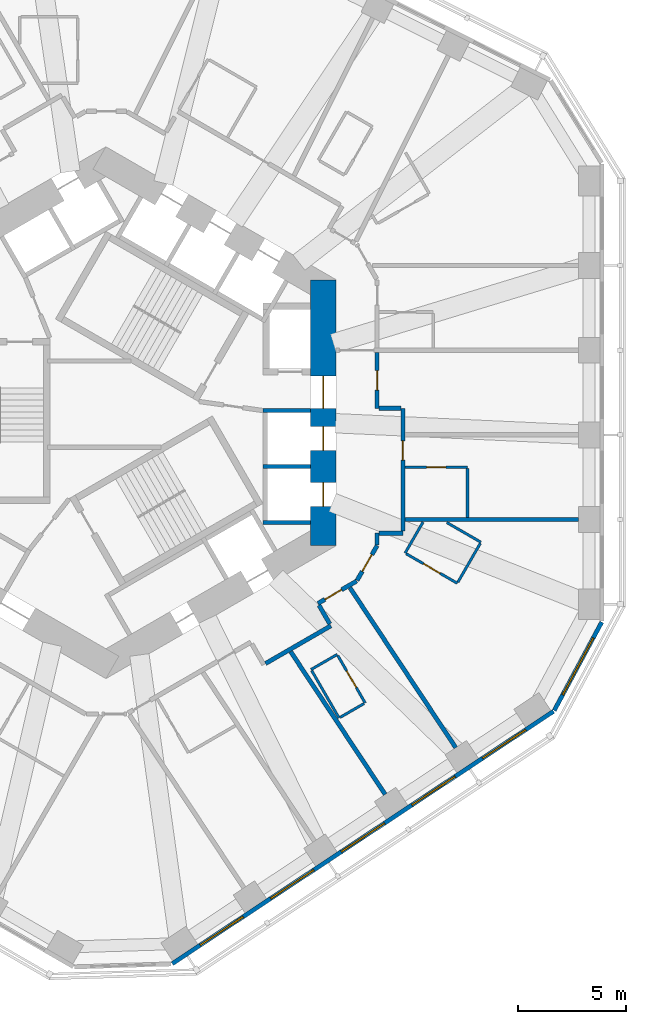
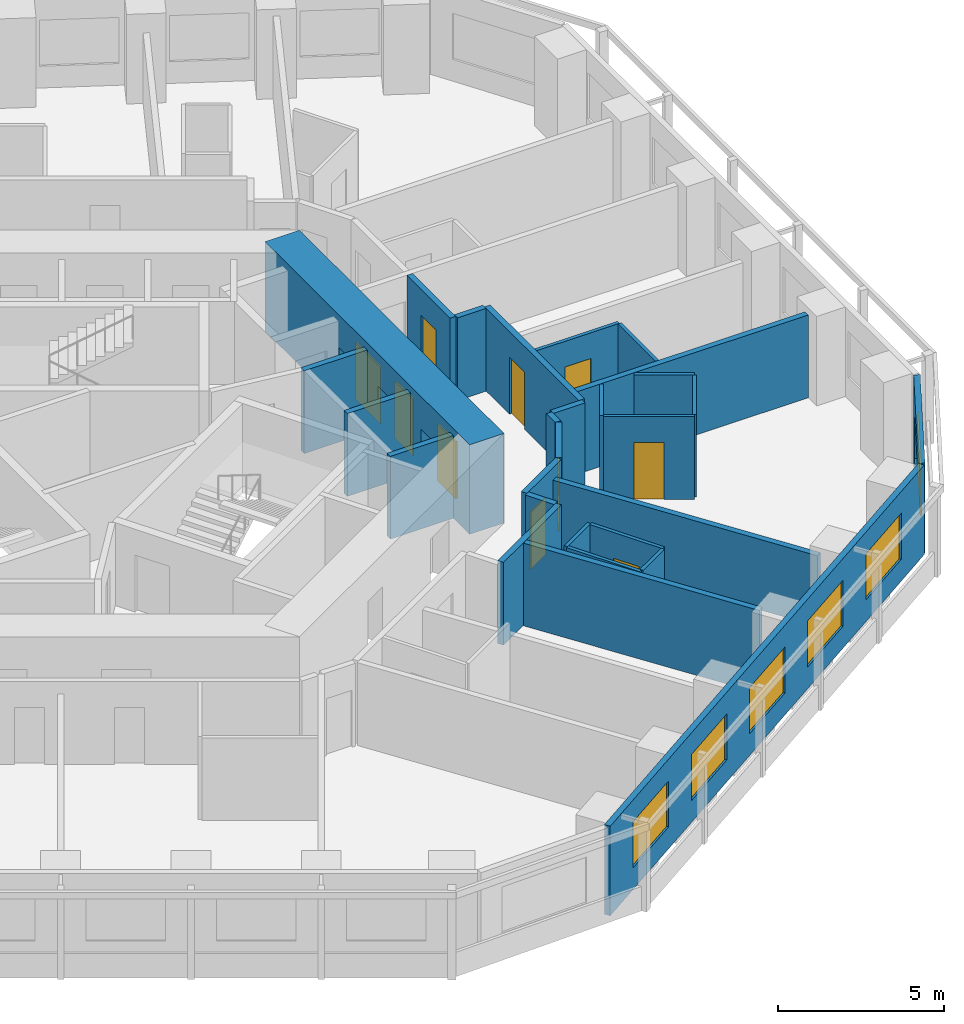
# One storey, part 6 of 12: 28 walls, 10 doors, 6 windows, 16 openings.
"""IFC4 building model written with IfcOpenShell, lengths in metres."""

from ifc_helpers import new_model, si_unit, direction, frame, frame_2d, origin, place, context, subcontext, project, spatial, rectangle, extrude, material, layer, layer_set, type_object, element, fill, save


model = new_model("IFC4")

# Units and contexts
model_context = context("Model", 3, precision=1e-05, world=origin(), true_north=direction((0.0, 1.0)))
body_context = subcontext(model_context, "Body", "Model", "MODEL_VIEW")
ifc_project = project(units=[si_unit("LENGTHUNIT", "METRE"), si_unit("AREAUNIT", "SQUARE_METRE"), si_unit("VOLUMEUNIT", "CUBIC_METRE"), si_unit("PLANEANGLEUNIT", "RADIAN"), si_unit("MASSUNIT", "GRAM", prefix="KILO")], contexts=[model_context])

# Site, building, storey
site_placement = place(None, origin())
site = spatial("IfcSite", under=ifc_project, at=site_placement, CompositionType="ELEMENT")
building_placement = place(site_placement, origin())
building = spatial("IfcBuilding", under=site, at=building_placement, Name="Vanh Sen Convention Tower", CompositionType="ELEMENT")
storey_placement = place(building_placement, frame((0.0, 0.0, 83.60009765625)))
storey = spatial("IfcBuildingStorey", under=building, at=storey_placement, Name="L18", CompositionType="ELEMENT", Elevation=83.60009765625)

# Wall
ifc_material_1 = material(Name="Moisture-resistant gypsum board on steel studs", Category="steel")
ifc_layer_1 = layer(ifc_material_1, 0.1201171875)
ifc_layer_set_1 = layer_set([ifc_layer_1], Name="Moisture-resistant gypsum board on steel studs")
wall_type_1 = type_object("IfcWallType", Name="Bathroom partition 120", PredefinedType="PARTITIONING", material=ifc_layer_set_1)
wall_1_placement = place(storey_placement, frame((9.532470703125, -11.93359375, 0.0), z_axis=(0.0, 0.0, 1.0), x_axis=(0.866034573852, 0.49998411664, 0.0)))
element("IfcWall", 1, at=wall_1_placement, inside=storey, type_object=wall_type_1, Name="Bathroom partition 120", PredefinedType="PARTITIONING", context=body_context, shape_type="SweptSolid", body=[
    extrude(rectangle(XDim=1.39990234375, YDim=0.1201171875, at=frame_2d((0.699951171875, 0.0))), origin(), (0.0, 0.0, 1.0), 3.0498046875),
])

# Wall, opening, door
wall_2_placement = place(storey_placement, frame((10.77490234375, -11.28564453125, 0.0), z_axis=(0.0, 0.0, 1.0), x_axis=(0.500046963369, -0.865998287773, 0.0)))
wall_2 = element("IfcWall", 2, at=wall_2_placement, inside=storey, type_object=wall_type_1, Name="Bathroom partition 120", PredefinedType="PARTITIONING", context=body_context, shape_type="SweptSolid", body=[
    extrude(rectangle(XDim=2.539794921875, YDim=0.1201171875, at=frame_2d((1.27001953125, 0.0))), origin(), (0.0, 0.0, 1.0), 3.0498046875),
])
opening_1_placement = place(wall_2_placement, frame((0.820068359375, 0.0, 0.0)))
opening_1 = element("IfcOpeningElement", 3, at=opening_1_placement, cuts=wall_2, Name="Opening D16134", PredefinedType="OPENING", context=body_context, shape_type="SweptSolid", body=[
    extrude(rectangle(XDim=0.89990234375, YDim=2.10009765625, at=frame_2d((0.449951171875, 1.050048828125))), frame((0.0, 0.070068359375, 0.0), z_axis=(0.0, -1.0, 0.0), x_axis=(1.0, 0.0, 0.0)), (0.0, 0.0, 1.0), 0.14013671875),
])
ifc_material_2 = material(Name="Laminate door in steel frame", Category="steel")
door_type_1 = type_object("IfcDoorType", Name="En-suite door 900", OperationType="SINGLE_SWING_LEFT", PredefinedType="DOOR", material=ifc_material_2)
door_1_placement = place(opening_1_placement, origin())
door_1 = element("IfcDoor", 4, at=door_1_placement, inside=storey, type_object=door_type_1, Name="En-suite door D16134", OperationType="SINGLE_SWING_LEFT", OverallHeight=2.10009765625, OverallWidth=0.89990234375, PredefinedType="DOOR", context=body_context, shape_type="SweptSolid", body=[
    extrude(rectangle(XDim=0.89990234375, YDim=2.10009765625, at=frame_2d((0.449951171875, 1.050048828125))), frame((0.0, 0.02490234375, 0.0), z_axis=(0.0, -1.0, 0.0), x_axis=(1.0, 0.0, 0.0)), (0.0, 0.0, 1.0), 0.050048828125),
])
fill(opening_1, door_1)

# Walls
wall_3_placement = place(storey_placement, frame((10.83251953125, -14.185302734375, 0.0), z_axis=(0.0, 0.0, 1.0), x_axis=(-0.500005339912, 0.866022320763, 0.0)))
element("IfcWall", 5, at=wall_3_placement, inside=storey, type_object=wall_type_1, Name="Bathroom partition 120", PredefinedType="PARTITIONING", context=body_context, shape_type="SweptSolid", body=[
    extrude(rectangle(XDim=2.5400390625, YDim=0.1201171875, at=frame_2d((1.27001953125, 0.0))), origin(), (0.0, 0.0, 1.0), 3.0498046875),
])
wall_4_placement = place(storey_placement, frame((11.992919921875, -13.51513671875, 0.0), z_axis=(0.0, 0.0, 1.0), x_axis=(-0.865956862152, -0.500118698802, 0.0)))
element("IfcWall", 6, at=wall_4_placement, inside=storey, type_object=wall_type_1, Name="Bathroom partition 120", PredefinedType="PARTITIONING", context=body_context, shape_type="SweptSolid", body=[
    extrude(rectangle(XDim=1.280029296875, YDim=0.1201171875, at=frame_2d((0.64013671875, 0.0))), origin(), (0.0, 0.0, 1.0), 3.0498046875),
])
wall_5_placement = place(storey_placement, frame((13.90087890625, -6.5244140625, 0.0), z_axis=(0.0, 0.0, 1.0), x_axis=(0.499964162598, 0.86604609353, 0.0)))
element("IfcWall", 7, at=wall_5_placement, inside=storey, type_object=wall_type_1, Name="Bathroom partition 120", PredefinedType="PARTITIONING", context=body_context, shape_type="SweptSolid", body=[
    extrude(rectangle(XDim=1.6611328125, YDim=0.1201171875, at=frame_2d((0.83056640625, 0.0))), origin(), (0.0, 0.0, 1.0), 3.0498046875),
])

# Wall, opening, door
wall_6_placement = place(storey_placement, frame((13.90087890625, -2.530029296875, 0.0), z_axis=(0.0, 0.0, 1.0), x_axis=(1.0, 0.0, 0.0)))
wall_6 = element("IfcWall", 8, at=wall_6_placement, inside=storey, type_object=wall_type_1, Name="Bathroom partition 120", PredefinedType="PARTITIONING", context=body_context, shape_type="SweptSolid", body=[
    extrude(rectangle(XDim=2.900146484375, YDim=0.1201171875, at=frame_2d((1.4501953125, 0.0))), origin(), (0.0, 0.0, 1.0), 3.0498046875),
])
opening_2_placement = place(wall_6_placement, frame((1.0, 0.0, 0.0)))
opening_2 = element("IfcOpeningElement", 9, at=opening_2_placement, cuts=wall_6, Name="Opening D16102", PredefinedType="OPENING", context=body_context, shape_type="SweptSolid", body=[
    extrude(rectangle(XDim=0.89990234375, YDim=2.10009765625, at=frame_2d((0.449951171875, 1.050048828125))), frame((0.0, 0.070068359375, 0.0), z_axis=(0.0, -1.0, 0.0), x_axis=(1.0, 0.0, 0.0)), (0.0, 0.0, 1.0), 0.14013671875),
])
door_2_placement = place(opening_2_placement, origin())
door_2 = element("IfcDoor", 10, at=door_2_placement, inside=storey, type_object=door_type_1, Name="En-suite door D16102", OperationType="SINGLE_SWING_LEFT", OverallHeight=2.10009765625, OverallWidth=0.89990234375, PredefinedType="DOOR", context=body_context, shape_type="SweptSolid", body=[
    extrude(rectangle(XDim=0.89990234375, YDim=2.10009765625, at=frame_2d((0.449951171875, 1.050048828125))), frame((0.0, 0.02490234375, 0.0), z_axis=(0.0, -1.0, 0.0), x_axis=(1.0, 0.0, 0.0)), (0.0, 0.0, 1.0), 0.050048828125),
])
fill(opening_2, door_2)

# Wall
wall_7_placement = place(storey_placement, frame((15.84130859375, -5.1044921875, 0.0), z_axis=(0.0, 0.0, 1.0), x_axis=(0.866025591402, -0.499999675036, 0.0)))
element("IfcWall", 11, at=wall_7_placement, inside=storey, type_object=wall_type_1, Name="Bathroom partition 120", PredefinedType="PARTITIONING", context=body_context, shape_type="SweptSolid", body=[
    extrude(rectangle(XDim=1.82958984375, YDim=0.1201171875, at=frame_2d((0.914794921875, 0.0))), origin(), (0.0, 0.0, 1.0), 3.0498046875),
])

# Wall, opening, door
wall_8_placement = place(storey_placement, frame((16.32568359375, -7.924560546875, 0.0), z_axis=(0.0, 0.0, 1.0), x_axis=(-0.865997131366, 0.500048966069, 0.0)))
wall_8 = element("IfcWall", 12, at=wall_8_placement, inside=storey, type_object=wall_type_1, Name="Bathroom partition 120", PredefinedType="PARTITIONING", context=body_context, shape_type="SweptSolid", body=[
    extrude(rectangle(XDim=2.739990234375, YDim=0.1201171875, at=frame_2d((1.3701171875, 0.0))), origin(), (0.0, 0.0, 1.0), 3.0498046875),
])
opening_3_placement = place(wall_8_placement, frame((0.919921875, 0.0, 0.0)))
opening_3 = element("IfcOpeningElement", 13, at=opening_3_placement, cuts=wall_8, Name="Opening D16136", PredefinedType="OPENING", context=body_context, shape_type="SweptSolid", body=[
    extrude(rectangle(XDim=0.89990234375, YDim=2.10009765625, at=frame_2d((0.449951171875, 1.050048828125))), frame((0.0, 0.070068359375, 0.0), z_axis=(0.0, -1.0, 0.0), x_axis=(1.0, 0.0, 0.0)), (0.0, 0.0, 1.0), 0.14013671875),
])
door_3_placement = place(opening_3_placement, origin())
door_3 = element("IfcDoor", 14, at=door_3_placement, inside=storey, type_object=door_type_1, Name="En-suite door D16136", OperationType="SINGLE_SWING_LEFT", OverallHeight=2.10009765625, OverallWidth=0.89990234375, PredefinedType="DOOR", context=body_context, shape_type="SweptSolid", body=[
    extrude(rectangle(XDim=0.89990234375, YDim=2.10009765625, at=frame_2d((0.449951171875, 1.050048828125))), frame((0.0, 0.02490234375, 0.0), z_axis=(0.0, -1.0, 0.0), x_axis=(1.0, 0.0, 0.0)), (0.0, 0.0, 1.0), 0.050048828125),
])
fill(opening_3, door_3)

# Walls
wall_9_placement = place(storey_placement, frame((16.801025390625, -2.590087890625, 0.0), z_axis=(0.0, 0.0, 1.0), x_axis=(0.0, -1.0, 0.0)))
element("IfcWall", 15, at=wall_9_placement, inside=storey, type_object=wall_type_1, Name="Bathroom partition 120", PredefinedType="PARTITIONING", context=body_context, shape_type="SweptSolid", body=[
    extrude(rectangle(XDim=2.2744140625, YDim=0.1201171875, at=frame_2d((1.13720703125, 0.0))), origin(), (0.0, 0.0, 1.0), 3.0498046875),
])
wall_10_placement = place(storey_placement, frame((17.395751953125, -6.0712890625, 0.0), z_axis=(0.0, 0.0, 1.0), x_axis=(-0.500027264788, -0.866009661879, 0.0)))
element("IfcWall", 16, at=wall_10_placement, inside=storey, type_object=wall_type_1, Name="Bathroom partition 120", PredefinedType="PARTITIONING", context=body_context, shape_type="SweptSolid", body=[
    extrude(rectangle(XDim=2.080078125, YDim=0.1201171875, at=frame_2d((1.0400390625, 0.0))), origin(), (0.0, 0.0, 1.0), 3.0498046875),
])

# Wall, openings, doors
ifc_material_3 = material(Name="Concrete C80/95", Category="concrete")
ifc_layer_2 = layer(ifc_material_3, 1.199951171875)
ifc_layer_set_2 = layer_set([ifc_layer_2], Name="Concrete C80/95")
wall_type_2 = type_object("IfcWallType", Name="Core outer wall 1200 C80/95", PredefinedType="SHEAR", material=ifc_layer_set_2)
wall_11_placement = place(storey_placement, frame((10.10009765625, -6.177490234375, 0.0), z_axis=(0.0, 0.0, 1.0), x_axis=(0.0, 1.0, 0.0)))
wall_11 = element("IfcWall", 17, at=wall_11_placement, inside=storey, type_object=wall_type_2, Name="Core wall face E L18", PredefinedType="SHEAR", context=body_context, shape_type="SweptSolid", body=[
    extrude(rectangle(XDim=12.35498046875, YDim=1.199951171875, at=frame_2d((6.177490234375, 0.0))), origin(), (0.0, 0.0, 1.0), 3.2998046875),
])
opening_4_placement = place(wall_11_placement, frame((6.377685546875, 0.0, 0.0)))
opening_4 = element("IfcOpeningElement", 18, at=opening_4_placement, cuts=wall_11, Name="Opening D16001", PredefinedType="OPENING", context=body_context, shape_type="SweptSolid", body=[
    extrude(rectangle(XDim=1.5, YDim=2.10009765625, at=frame_2d((0.75, 1.050048828125))), frame((0.0, 0.60986328125, 0.0), z_axis=(0.0, -1.0, 0.0), x_axis=(1.0, 0.0, 0.0)), (0.0, 0.0, 1.0), 1.219970703125),
])
opening_5_placement = place(wall_11_placement, frame((1.82763671875, 0.0, 0.0)))
opening_5 = element("IfcOpeningElement", 19, at=opening_5_placement, cuts=wall_11, Name="Opening LD-LR1", PredefinedType="OPENING", context=body_context, shape_type="SweptSolid", body=[
    extrude(rectangle(XDim=1.10009765625, YDim=2.10009765625, at=frame_2d((0.550048828125, 1.050048828125))), frame((0.0, 0.60986328125, 0.0), z_axis=(0.0, -1.0, 0.0), x_axis=(1.0, 0.0, 0.0)), (0.0, 0.0, 1.0), 1.219970703125),
])
opening_6_placement = place(wall_11_placement, frame((4.427490234375, 0.0, 0.0)))
opening_6 = element("IfcOpeningElement", 20, at=opening_6_placement, cuts=wall_11, Name="Opening LD-LR2", PredefinedType="OPENING", context=body_context, shape_type="SweptSolid", body=[
    extrude(rectangle(XDim=1.10009765625, YDim=2.10009765625, at=frame_2d((0.550048828125, 1.050048828125))), frame((0.0, 0.60986328125, 0.0), z_axis=(0.0, -1.0, 0.0), x_axis=(1.0, 0.0, 0.0)), (0.0, 0.0, 1.0), 1.219970703125),
])
ifc_material_4 = material(Name="Stainless steel", Category="steel")
door_type_2 = type_object("IfcDoorType", Name="Lift landing door 1100", OperationType="DOUBLE_DOOR_SLIDING", PredefinedType="DOOR", material=ifc_material_4)
door_4_placement = place(opening_5_placement, origin())
door_4 = element("IfcDoor", 21, at=door_4_placement, inside=storey, type_object=door_type_2, Name="Lift LR1 landing door LD-LR1", OperationType="DOUBLE_DOOR_SLIDING", OverallHeight=2.10009765625, OverallWidth=1.10009765625, PredefinedType="DOOR", context=body_context, shape_type="SweptSolid", body=[
    extrude(rectangle(XDim=1.10009765625, YDim=2.10009765625, at=frame_2d((0.550048828125, 1.050048828125))), frame((0.0, 0.02490234375, 0.0), z_axis=(0.0, -1.0, 0.0), x_axis=(1.0, 0.0, 0.0)), (0.0, 0.0, 1.0), 0.050048828125),
])
fill(opening_5, door_4)
door_5_placement = place(opening_6_placement, origin())
door_5 = element("IfcDoor", 22, at=door_5_placement, inside=storey, type_object=door_type_2, Name="Lift LR2 landing door LD-LR2", OperationType="DOUBLE_DOOR_SLIDING", OverallHeight=2.10009765625, OverallWidth=1.10009765625, PredefinedType="DOOR", context=body_context, shape_type="SweptSolid", body=[
    extrude(rectangle(XDim=1.10009765625, YDim=2.10009765625, at=frame_2d((0.550048828125, 1.050048828125))), frame((0.0, 0.02490234375, 0.0), z_axis=(0.0, -1.0, 0.0), x_axis=(1.0, 0.0, 0.0)), (0.0, 0.0, 1.0), 0.050048828125),
])
fill(opening_6, door_5)
ifc_material_5 = material(Name="Steel S355", Category="steel")
door_type_3 = type_object("IfcDoorType", Name="Stair lobby door 1500", OperationType="DOUBLE_DOOR_SINGLE_SWING", PredefinedType="DOOR", material=ifc_material_5)
door_6_placement = place(opening_4_placement, origin())
door_6 = element("IfcDoor", 23, at=door_6_placement, inside=storey, type_object=door_type_3, Name="Stair lobby door D16001", OperationType="DOUBLE_DOOR_SINGLE_SWING", OverallHeight=2.10009765625, OverallWidth=1.5, PredefinedType="DOOR", context=body_context, shape_type="SweptSolid", body=[
    extrude(rectangle(XDim=1.5, YDim=2.10009765625, at=frame_2d((0.75, 1.050048828125))), frame((0.0, 0.02490234375, 0.0), z_axis=(0.0, -1.0, 0.0), x_axis=(1.0, 0.0, 0.0)), (0.0, 0.0, 1.0), 0.050048828125),
])
fill(opening_4, door_6)

# Wall
ifc_material_6 = material(Name="Gypsum board on steel studs with mineral wool", Category="steel")
ifc_layer_3 = layer(ifc_material_6, 0.199951171875)
ifc_layer_set_3 = layer_set([ifc_layer_3], Name="Gypsum board on steel studs with mineral wool")
wall_type_3 = type_object("IfcWallType", Name="Corridor partition wall 200", PredefinedType="PARTITIONING", material=ifc_layer_set_3)
wall_12_placement = place(storey_placement, frame((7.419189453125, -11.652587890625, 0.0), z_axis=(0.0, 0.0, 1.0), x_axis=(0.866038154057, 0.49997791523, 0.0)))
element("IfcWall", 24, at=wall_12_placement, inside=storey, type_object=wall_type_3, Name="Corridor partition wall 200", PredefinedType="PARTITIONING", context=body_context, shape_type="SweptSolid", body=[
    extrude(rectangle(XDim=3.502197265625, YDim=0.199951171875, at=frame_2d((1.7509765625, 0.0))), origin(), (0.0, 0.0, 1.0), 3.0498046875),
])

# Wall, opening, door
wall_13_placement = place(storey_placement, frame((9.8515625, -8.861328125, 0.0), z_axis=(0.0, 0.0, 1.0), x_axis=(0.866013291437, 0.500020978615, 0.0)))
wall_13 = element("IfcWall", 25, at=wall_13_placement, inside=storey, type_object=wall_type_3, Name="Corridor partition wall 200", PredefinedType="PARTITIONING", context=body_context, shape_type="SweptSolid", body=[
    extrude(rectangle(XDim=2.07666015625, YDim=0.199951171875, at=frame_2d((1.038330078125, 0.0))), origin(), (0.0, 0.0, 1.0), 3.0498046875),
])
opening_7_placement = place(wall_13_placement, frame((0.37158203125, 0.0, 0.0)))
opening_7 = element("IfcOpeningElement", 26, at=opening_7_placement, cuts=wall_13, Name="Opening D16133", PredefinedType="OPENING", context=body_context, shape_type="SweptSolid", body=[
    extrude(rectangle(XDim=0.89990234375, YDim=2.10009765625, at=frame_2d((0.449951171875, 1.050048828125))), frame((0.0, 0.10986328125, 0.0), z_axis=(0.0, -1.0, 0.0), x_axis=(1.0, 0.0, 0.0)), (0.0, 0.0, 1.0), 0.219970703125),
])
ifc_material_7 = material(Name="Timber fire door in steel frame", Category="steel")
door_type_4 = type_object("IfcDoorType", Name="Guest room door 900", OperationType="SINGLE_SWING_LEFT", PredefinedType="DOOR", material=ifc_material_7)
door_7_placement = place(opening_7_placement, origin())
door_7 = element("IfcDoor", 27, at=door_7_placement, inside=storey, type_object=door_type_4, Name="Hotel guest room door D16133", OperationType="SINGLE_SWING_LEFT", OverallHeight=2.10009765625, OverallWidth=0.89990234375, PredefinedType="DOOR", context=body_context, shape_type="SweptSolid", body=[
    extrude(rectangle(XDim=0.89990234375, YDim=2.10009765625, at=frame_2d((0.449951171875, 1.050048828125))), frame((0.0, 0.02490234375, 0.0), z_axis=(0.0, -1.0, 0.0), x_axis=(1.0, 0.0, 0.0)), (0.0, 0.0, 1.0), 0.050048828125),
])
fill(opening_7, door_7)

# Wall
wall_14_placement = place(storey_placement, frame((10.402099609375, -9.81494140625, 0.0), z_axis=(0.0, 0.0, 1.0), x_axis=(-0.499968756647, 0.866043441391, 0.0)))
element("IfcWall", 28, at=wall_14_placement, inside=storey, type_object=wall_type_3, Name="Corridor partition wall 200", PredefinedType="PARTITIONING", context=body_context, shape_type="SweptSolid", body=[
    extrude(rectangle(XDim=1.0009765625, YDim=0.199951171875, at=frame_2d((0.50048828125, 0.0))), origin(), (0.0, 0.0, 1.0), 3.0498046875),
])

# Wall, opening, door
wall_15_placement = place(storey_placement, frame((11.669921875, -7.788330078125, 0.0), z_axis=(0.0, 0.0, 1.0), x_axis=(0.500063286585, 0.865988862174, 0.0)))
wall_15 = element("IfcWall", 29, at=wall_15_placement, inside=storey, type_object=wall_type_3, Name="Corridor partition wall 200", PredefinedType="PARTITIONING", context=body_context, shape_type="SweptSolid", body=[
    extrude(rectangle(XDim=1.860107421875, YDim=0.199951171875, at=frame_2d((0.93017578125, 0.0))), origin(), (0.0, 0.0, 1.0), 3.0498046875),
])
opening_8_placement = place(wall_15_placement, frame((0.47998046875, 0.0, 0.0)))
opening_8 = element("IfcOpeningElement", 30, at=opening_8_placement, cuts=wall_15, Name="Opening D16135", PredefinedType="OPENING", context=body_context, shape_type="SweptSolid", body=[
    extrude(rectangle(XDim=0.89990234375, YDim=2.10009765625, at=frame_2d((0.449951171875, 1.050048828125))), frame((0.0, 0.10986328125, 0.0), z_axis=(0.0, -1.0, 0.0), x_axis=(1.0, 0.0, 0.0)), (0.0, 0.0, 1.0), 0.219970703125),
])
door_8_placement = place(opening_8_placement, origin())
door_8 = element("IfcDoor", 31, at=door_8_placement, inside=storey, type_object=door_type_4, Name="Hotel guest room door D16135", OperationType="SINGLE_SWING_LEFT", OverallHeight=2.10009765625, OverallWidth=0.89990234375, PredefinedType="DOOR", context=body_context, shape_type="SweptSolid", body=[
    extrude(rectangle(XDim=0.89990234375, YDim=2.10009765625, at=frame_2d((0.449951171875, 1.050048828125))), frame((0.0, 0.02490234375, 0.0), z_axis=(0.0, -1.0, 0.0), x_axis=(1.0, 0.0, 0.0)), (0.0, 0.0, 1.0), 0.050048828125),
])
fill(opening_8, door_8)

# Wall
wall_16_placement = place(storey_placement, frame((12.60009765625, -6.1376953125, 0.0), z_axis=(0.0, 0.0, 1.0), x_axis=(0.0, 1.0, 0.0)))
element("IfcWall", 32, at=wall_16_placement, inside=storey, type_object=wall_type_3, Name="Corridor partition wall 200", PredefinedType="PARTITIONING", context=body_context, shape_type="SweptSolid", body=[
    extrude(rectangle(XDim=0.53662109375, YDim=0.199951171875, at=frame_2d((0.268310546875, 0.0))), origin(), (0.0, 0.0, 1.0), 3.0498046875),
])

# Wall, opening, door
wall_17_placement = place(storey_placement, frame((12.60009765625, 0.200927734375, 0.0), z_axis=(0.0, 0.0, 1.0), x_axis=(0.0, 1.0, 0.0)))
wall_17 = element("IfcWall", 33, at=wall_17_placement, inside=storey, type_object=wall_type_3, Name="Corridor partition wall 200", PredefinedType="PARTITIONING", context=body_context, shape_type="SweptSolid", body=[
    extrude(rectangle(XDim=2.603515625, YDim=0.199951171875, at=frame_2d((1.3017578125, 0.0))), origin(), (0.0, 0.0, 1.0), 3.0498046875),
])
opening_9_placement = place(wall_17_placement, frame((0.851806640625, 0.0, 0.0)))
opening_9 = element("IfcOpeningElement", 34, at=opening_9_placement, cuts=wall_17, Name="Opening D16103", PredefinedType="OPENING", context=body_context, shape_type="SweptSolid", body=[
    extrude(rectangle(XDim=0.89990234375, YDim=2.10009765625, at=frame_2d((0.449951171875, 1.050048828125))), frame((0.0, 0.10986328125, 0.0), z_axis=(0.0, -1.0, 0.0), x_axis=(1.0, 0.0, 0.0)), (0.0, 0.0, 1.0), 0.219970703125),
])
door_type_5 = type_object("IfcDoorType", Name="Floor service door 900", OperationType="SINGLE_SWING_LEFT", PredefinedType="DOOR", material=ifc_material_7)
door_9_placement = place(opening_9_placement, origin())
door_9 = element("IfcDoor", 35, at=door_9_placement, inside=storey, type_object=door_type_5, Name="Service room door D16103", OperationType="SINGLE_SWING_LEFT", OverallHeight=2.10009765625, OverallWidth=0.89990234375, PredefinedType="DOOR", context=body_context, shape_type="SweptSolid", body=[
    extrude(rectangle(XDim=0.89990234375, YDim=2.10009765625, at=frame_2d((0.449951171875, 1.050048828125))), frame((0.0, 0.02490234375, 0.0), z_axis=(0.0, -1.0, 0.0), x_axis=(1.0, 0.0, 0.0)), (0.0, 0.0, 1.0), 0.050048828125),
])
fill(opening_9, door_9)

# Walls
wall_18_placement = place(storey_placement, frame((12.699951171875, -5.60107421875, 0.0), z_axis=(0.0, 0.0, 1.0), x_axis=(1.0, 0.0, 0.0)))
element("IfcWall", 36, at=wall_18_placement, inside=storey, type_object=wall_type_3, Name="Corridor partition wall 200", PredefinedType="PARTITIONING", context=body_context, shape_type="SweptSolid", body=[
    extrude(rectangle(XDim=1.10107421875, YDim=0.199951171875, at=frame_2d((0.550537109375, 0.0))), origin(), (0.0, 0.0, 1.0), 3.0498046875),
])
wall_19_placement = place(storey_placement, frame((13.700927734375, 0.200927734375, 0.0), z_axis=(0.0, 0.0, 1.0), x_axis=(-1.0, 0.0, 0.0)))
element("IfcWall", 37, at=wall_19_placement, inside=storey, type_object=wall_type_3, Name="Corridor partition wall 200", PredefinedType="PARTITIONING", context=body_context, shape_type="SweptSolid", body=[
    extrude(rectangle(XDim=1.0009765625, YDim=0.199951171875, at=frame_2d((0.50048828125, 0.0))), origin(), (0.0, 0.0, 1.0), 3.0498046875),
])

# Wall, opening, door
wall_20_placement = place(storey_placement, frame((13.801025390625, -5.5009765625, 0.0), z_axis=(0.0, 0.0, 1.0), x_axis=(0.0, 1.0, 0.0)))
wall_20 = element("IfcWall", 38, at=wall_20_placement, inside=storey, type_object=wall_type_3, Name="Corridor partition wall 200", PredefinedType="PARTITIONING", context=body_context, shape_type="SweptSolid", body=[
    extrude(rectangle(XDim=5.701904296875, YDim=0.199951171875, at=frame_2d((2.85107421875, 0.0))), origin(), (0.0, 0.0, 1.0), 3.0498046875),
])
opening_10_placement = place(wall_20_placement, frame((3.2958984375, 0.0, 0.0)))
opening_10 = element("IfcOpeningElement", 39, at=opening_10_placement, cuts=wall_20, Name="Opening D16101", PredefinedType="OPENING", context=body_context, shape_type="SweptSolid", body=[
    extrude(rectangle(XDim=0.89990234375, YDim=2.10009765625, at=frame_2d((0.449951171875, 1.050048828125))), frame((0.0, 0.10986328125, 0.0), z_axis=(0.0, -1.0, 0.0), x_axis=(1.0, 0.0, 0.0)), (0.0, 0.0, 1.0), 0.219970703125),
])
door_10_placement = place(opening_10_placement, origin())
door_10 = element("IfcDoor", 40, at=door_10_placement, inside=storey, type_object=door_type_4, Name="Hotel guest room door D16101", OperationType="SINGLE_SWING_LEFT", OverallHeight=2.10009765625, OverallWidth=0.89990234375, PredefinedType="DOOR", context=body_context, shape_type="SweptSolid", body=[
    extrude(rectangle(XDim=0.89990234375, YDim=2.10009765625, at=frame_2d((0.449951171875, 1.050048828125))), frame((0.0, 0.02490234375, 0.0), z_axis=(0.0, -1.0, 0.0), x_axis=(1.0, 0.0, 0.0)), (0.0, 0.0, 1.0), 0.050048828125),
])
fill(opening_10, door_10)

# Wall, openings, windows
ifc_material_8 = material(Name="Insulated lightweight infill wall")
ifc_layer_4 = layer(ifc_material_8, 0.199951171875)
ifc_layer_set_4 = layer_set([ifc_layer_4], Name="Insulated lightweight infill wall")
wall_type_4 = type_object("IfcWallType", Name="External wall 200", PredefinedType="STANDARD", material=ifc_layer_set_4)
wall_21_placement = place(storey_placement, frame((3.0830078125, -25.60107421875, 0.0), z_axis=(0.0, 0.0, 1.0), x_axis=(0.833884295743, 0.551939291329, 0.0)))
wall_21 = element("IfcWall", 41, at=wall_21_placement, inside=storey, type_object=wall_type_4, Name="External wall SE L18", PredefinedType="STANDARD", context=body_context, shape_type="SweptSolid", body=[
    extrude(rectangle(XDim=21.24609375, YDim=0.199951171875, at=frame_2d((10.623046875, 0.0))), origin(), (0.0, 0.0, 1.0), 3.2998046875),
])
opening_11_placement = place(wall_21_placement, frame((1.552978515625, 0.0, 0.800048828125)))
opening_11 = element("IfcOpeningElement", 42, at=opening_11_placement, cuts=wall_21, Name="Opening WH1-SE1", PredefinedType="OPENING", context=body_context, shape_type="SweptSolid", body=[
    extrude(rectangle(XDim=2.39990234375, YDim=1.699951171875, at=frame_2d((1.199951171875, 0.85009765625))), frame((0.0, 0.10986328125, 0.0), z_axis=(0.0, -1.0, 0.0), x_axis=(1.0, 0.0, 0.0)), (0.0, 0.0, 1.0), 0.219970703125),
])
opening_12_placement = place(wall_21_placement, frame((5.487548828125, 0.0, 0.800048828125)))
opening_12 = element("IfcOpeningElement", 43, at=opening_12_placement, cuts=wall_21, Name="Opening WH1-SE2", PredefinedType="OPENING", context=body_context, shape_type="SweptSolid", body=[
    extrude(rectangle(XDim=2.39990234375, YDim=1.699951171875, at=frame_2d((1.199951171875, 0.85009765625))), frame((0.0, 0.10986328125, 0.0), z_axis=(0.0, -1.0, 0.0), x_axis=(1.0, 0.0, 0.0)), (0.0, 0.0, 1.0), 0.219970703125),
])
opening_13_placement = place(wall_21_placement, frame((9.422119140625, 0.0, 0.800048828125)))
opening_13 = element("IfcOpeningElement", 44, at=opening_13_placement, cuts=wall_21, Name="Opening WH1-SE3", PredefinedType="OPENING", context=body_context, shape_type="SweptSolid", body=[
    extrude(rectangle(XDim=2.39990234375, YDim=1.699951171875, at=frame_2d((1.199951171875, 0.85009765625))), frame((0.0, 0.10986328125, 0.0), z_axis=(0.0, -1.0, 0.0), x_axis=(1.0, 0.0, 0.0)), (0.0, 0.0, 1.0), 0.219970703125),
])
opening_14_placement = place(wall_21_placement, frame((13.356689453125, 0.0, 0.800048828125)))
opening_14 = element("IfcOpeningElement", 45, at=opening_14_placement, cuts=wall_21, Name="Opening WH1-SE4", PredefinedType="OPENING", context=body_context, shape_type="SweptSolid", body=[
    extrude(rectangle(XDim=2.39990234375, YDim=1.699951171875, at=frame_2d((1.199951171875, 0.85009765625))), frame((0.0, 0.10986328125, 0.0), z_axis=(0.0, -1.0, 0.0), x_axis=(1.0, 0.0, 0.0)), (0.0, 0.0, 1.0), 0.219970703125),
])
opening_15_placement = place(wall_21_placement, frame((17.291259765625, 0.0, 0.800048828125)))
opening_15 = element("IfcOpeningElement", 46, at=opening_15_placement, cuts=wall_21, Name="Opening WH1-SE5", PredefinedType="OPENING", context=body_context, shape_type="SweptSolid", body=[
    extrude(rectangle(XDim=2.39990234375, YDim=1.699951171875, at=frame_2d((1.199951171875, 0.85009765625))), frame((0.0, 0.10986328125, 0.0), z_axis=(0.0, -1.0, 0.0), x_axis=(1.0, 0.0, 0.0)), (0.0, 0.0, 1.0), 0.219970703125),
])
ifc_material_9 = material(Name="Aluminium frame with clear low-emissivity glass", Category="aluminium")
window_type_1 = type_object("IfcWindowType", Name="Hotel window 2400 x 1700", PartitioningType="SINGLE_PANEL", PredefinedType="WINDOW", material=ifc_material_9)
window_1_placement = place(opening_11_placement, origin())
window_1 = element("IfcWindow", 47, at=window_1_placement, inside=storey, type_object=window_type_1, Name="Window WH1-SE1", OverallHeight=1.699951171875, OverallWidth=2.39990234375, PartitioningType="SINGLE_PANEL", PredefinedType="WINDOW", context=body_context, shape_type="SweptSolid", body=[
    extrude(rectangle(XDim=2.39990234375, YDim=1.699951171875, at=frame_2d((1.199951171875, 0.85009765625))), frame((0.0, 0.030029296875, 0.0), z_axis=(0.0, -1.0, 0.0), x_axis=(1.0, 0.0, 0.0)), (0.0, 0.0, 1.0), 0.06005859375),
])
fill(opening_11, window_1)
window_2_placement = place(opening_12_placement, origin())
window_2 = element("IfcWindow", 48, at=window_2_placement, inside=storey, type_object=window_type_1, Name="Window WH1-SE2", OverallHeight=1.699951171875, OverallWidth=2.39990234375, PartitioningType="SINGLE_PANEL", PredefinedType="WINDOW", context=body_context, shape_type="SweptSolid", body=[
    extrude(rectangle(XDim=2.39990234375, YDim=1.699951171875, at=frame_2d((1.199951171875, 0.85009765625))), frame((0.0, 0.030029296875, 0.0), z_axis=(0.0, -1.0, 0.0), x_axis=(1.0, 0.0, 0.0)), (0.0, 0.0, 1.0), 0.06005859375),
])
fill(opening_12, window_2)
window_3_placement = place(opening_13_placement, origin())
window_3 = element("IfcWindow", 49, at=window_3_placement, inside=storey, type_object=window_type_1, Name="Window WH1-SE3", OverallHeight=1.699951171875, OverallWidth=2.39990234375, PartitioningType="SINGLE_PANEL", PredefinedType="WINDOW", context=body_context, shape_type="SweptSolid", body=[
    extrude(rectangle(XDim=2.39990234375, YDim=1.699951171875, at=frame_2d((1.199951171875, 0.85009765625))), frame((0.0, 0.030029296875, 0.0), z_axis=(0.0, -1.0, 0.0), x_axis=(1.0, 0.0, 0.0)), (0.0, 0.0, 1.0), 0.06005859375),
])
fill(opening_13, window_3)
window_4_placement = place(opening_14_placement, origin())
window_4 = element("IfcWindow", 50, at=window_4_placement, inside=storey, type_object=window_type_1, Name="Window WH1-SE4", OverallHeight=1.699951171875, OverallWidth=2.39990234375, PartitioningType="SINGLE_PANEL", PredefinedType="WINDOW", context=body_context, shape_type="SweptSolid", body=[
    extrude(rectangle(XDim=2.39990234375, YDim=1.699951171875, at=frame_2d((1.199951171875, 0.85009765625))), frame((0.0, 0.030029296875, 0.0), z_axis=(0.0, -1.0, 0.0), x_axis=(1.0, 0.0, 0.0)), (0.0, 0.0, 1.0), 0.06005859375),
])
fill(opening_14, window_4)
window_5_placement = place(opening_15_placement, origin())
window_5 = element("IfcWindow", 51, at=window_5_placement, inside=storey, type_object=window_type_1, Name="Window WH1-SE5", OverallHeight=1.699951171875, OverallWidth=2.39990234375, PartitioningType="SINGLE_PANEL", PredefinedType="WINDOW", context=body_context, shape_type="SweptSolid", body=[
    extrude(rectangle(XDim=2.39990234375, YDim=1.699951171875, at=frame_2d((1.199951171875, 0.85009765625))), frame((0.0, 0.030029296875, 0.0), z_axis=(0.0, -1.0, 0.0), x_axis=(1.0, 0.0, 0.0)), (0.0, 0.0, 1.0), 0.06005859375),
])
fill(opening_15, window_5)

# Wall, opening, window
wall_22_placement = place(storey_placement, frame((20.83251953125, -13.838623046875, 0.0), z_axis=(0.0, 0.0, 1.0), x_axis=(0.473321668581, 0.880889662813, 0.0)))
wall_22 = element("IfcWall", 52, at=wall_22_placement, inside=storey, type_object=wall_type_4, Name="External wall CH6 L18", PredefinedType="STANDARD", context=body_context, shape_type="SweptSolid", body=[
    extrude(rectangle(XDim=4.65966796875, YDim=0.199951171875, at=frame_2d((2.329833984375, 0.0))), origin(), (0.0, 0.0, 1.0), 3.2998046875),
])
opening_16_placement = place(wall_22_placement, frame((0.829833984375, 0.0, 0.800048828125)))
opening_16 = element("IfcOpeningElement", 53, at=opening_16_placement, cuts=wall_22, Name="Opening WH2-CH61", PredefinedType="OPENING", context=body_context, shape_type="SweptSolid", body=[
    extrude(rectangle(XDim=3.0, YDim=1.699951171875, at=frame_2d((1.5, 0.85009765625))), frame((0.0, 0.10986328125, 0.0), z_axis=(0.0, -1.0, 0.0), x_axis=(1.0, 0.0, 0.0)), (0.0, 0.0, 1.0), 0.219970703125),
])
window_type_2 = type_object("IfcWindowType", Name="Hotel window 3000 x 1700", PartitioningType="SINGLE_PANEL", PredefinedType="WINDOW", material=ifc_material_9)
window_6_placement = place(opening_16_placement, origin())
window_6 = element("IfcWindow", 54, at=window_6_placement, inside=storey, type_object=window_type_2, Name="Window WH2-CH61", OverallHeight=1.699951171875, OverallWidth=3.0, PartitioningType="SINGLE_PANEL", PredefinedType="WINDOW", context=body_context, shape_type="SweptSolid", body=[
    extrude(rectangle(XDim=3.0, YDim=1.699951171875, at=frame_2d((1.5, 0.85009765625))), frame((0.0, 0.030029296875, 0.0), z_axis=(0.0, -1.0, 0.0), x_axis=(1.0, 0.0, 0.0)), (0.0, 0.0, 1.0), 0.06005859375),
])
fill(opening_16, window_6)

# Walls
ifc_layer_5 = layer(ifc_material_6, 0.199951171875)
ifc_layer_set_5 = layer_set([ifc_layer_5], Name="Gypsum board on steel studs with mineral wool")
wall_type_5 = type_object("IfcWallType", Name="Hotel party wall 200", PredefinedType="PARTITIONING", material=ifc_layer_set_5)
wall_23_placement = place(storey_placement, frame((12.973876953125, -17.7353515625, 0.0), z_axis=(0.0, 0.0, 1.0), x_axis=(-0.55192625685, 0.833892922982, 0.0)))
element("IfcWall", 55, at=wall_23_placement, inside=storey, type_object=wall_type_5, Name="Hotel party wall 200", PredefinedType="PARTITIONING", context=body_context, shape_type="SweptSolid", body=[
    extrude(rectangle(XDim=7.9501953125, YDim=0.199951171875, at=frame_2d((3.97509765625, 0.0))), origin(), (0.0, 0.0, 1.0), 3.0498046875),
])
wall_24_placement = place(storey_placement, frame((13.90087890625, -4.964599609375, 0.0), z_axis=(0.0, 0.0, 1.0), x_axis=(1.0, 0.0, 0.0)))
element("IfcWall", 56, at=wall_24_placement, inside=storey, type_object=wall_type_5, Name="Hotel party wall 200", PredefinedType="PARTITIONING", context=body_context, shape_type="SweptSolid", body=[
    extrude(rectangle(XDim=8.049072265625, YDim=0.199951171875, at=frame_2d((4.0244140625, 0.0))), origin(), (0.0, 0.0, 1.0), 3.0498046875),
])
wall_25_placement = place(storey_placement, frame((16.2548828125, -15.563720703125, 0.0), z_axis=(0.0, 0.0, 1.0), x_axis=(-0.55192208744, 0.833895682562, 0.0)))
element("IfcWall", 57, at=wall_25_placement, inside=storey, type_object=wall_type_5, Name="Hotel party wall 200", PredefinedType="PARTITIONING", context=body_context, shape_type="SweptSolid", body=[
    extrude(rectangle(XDim=8.912841796875, YDim=0.199951171875, at=frame_2d((4.45654296875, 0.0))), origin(), (0.0, 0.0, 1.0), 2.599853515625),
])
ifc_material_10 = material(Name="Concrete C40/50", Category="concrete")
ifc_layer_6 = layer(ifc_material_10, 0.199951171875)
ifc_layer_set_6 = layer_set([ifc_layer_6], Name="Concrete C40/50")
wall_type_6 = type_object("IfcWallType", Name="Lift shaft wall 200", PredefinedType="PARTITIONING", material=ifc_layer_set_6)
for number, where, z_axis, x_axis, name in (
    (58, (7.300048828125, -5.10009765625, 0.0), (0.0, 0.0, 1.0), (1.0, 0.0, 0.0), "Lift shaft wall L18"),
    (59, (7.300048828125, -2.5, 0.0), (0.0, 0.0, 1.0), (1.0, 0.0, 0.0), "Lift shaft wall L18"),
    (60, (7.300048828125, 0.10009765625, 0.0), (0.0, 0.0, 1.0), (1.0, 0.0, 0.0), "Lift shaft wall L18"),
):
    element("IfcWall", number, at=place(storey_placement, frame(where, z_axis=z_axis, x_axis=x_axis)), inside=storey, type_object=wall_type_6, Name=name, PredefinedType="PARTITIONING", context=body_context, shape_type="SweptSolid", body=[
        extrude(rectangle(XDim=2.199951171875, YDim=0.199951171875, at=frame_2d((1.10009765625, 0.0))), origin(), (0.0, 0.0, 1.0), 3.0498046875),
    ])

save(model, "model.ifc")
